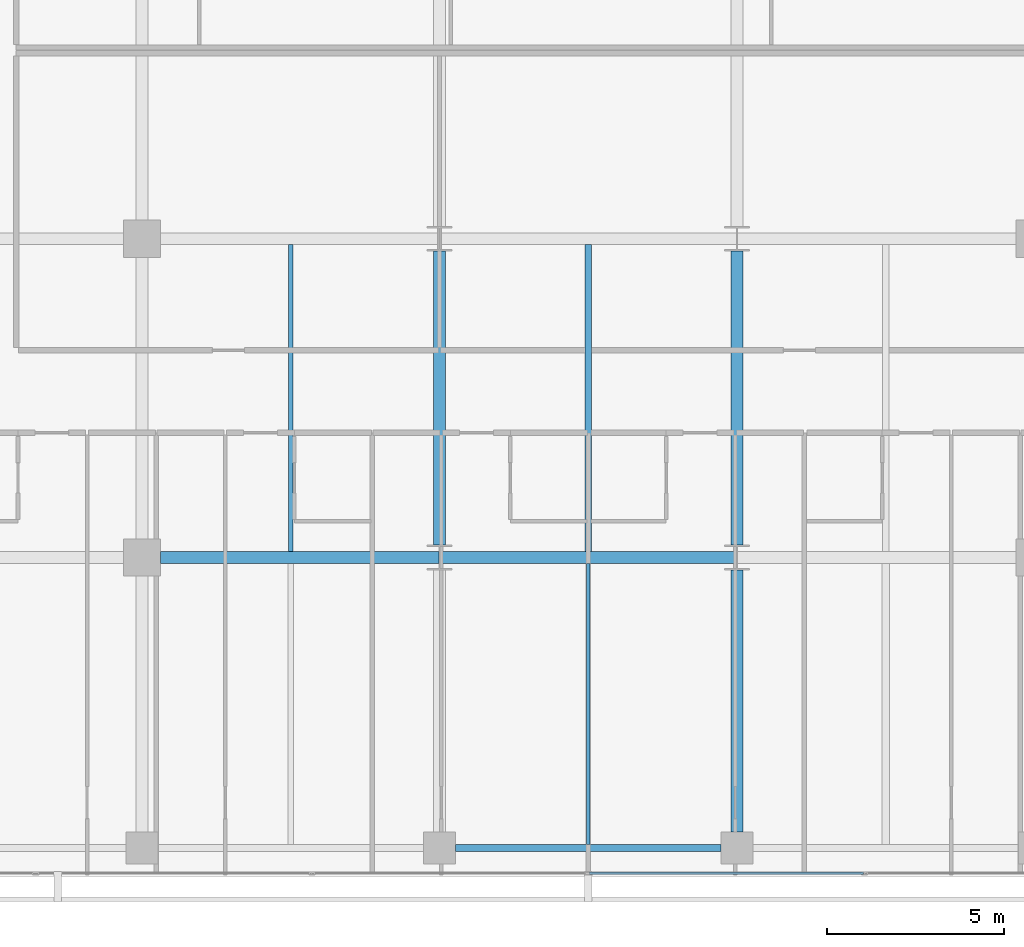
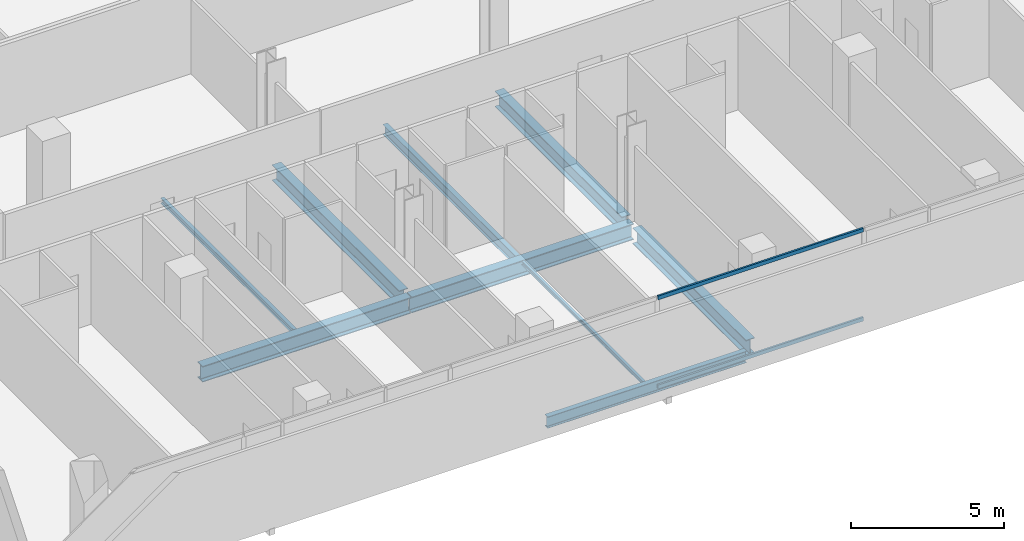
# One storey, part 9 of 40: 9 beams, 2 members, 1 element without a shape of its own.
"""IFC4 building model written with IfcOpenShell, lengths in metres."""

from ifc_helpers import new_model, si_unit, direction, frame, origin, origin_2d, place, context, subcontext, project, spatial, hollow_rectangle, i_section, extrude, material, layer, layer_set, material_profile, profile_set, type_object, element, aggregate, save


model = new_model("IFC4")

# Units and contexts
model_context = context("Model", 3, precision=1e-05, world=origin(), true_north=direction((0.0, 1.0)))
body_context = subcontext(model_context, "Body", "Model", "MODEL_VIEW")
ifc_project = project(units=[si_unit("LENGTHUNIT", "METRE"), si_unit("AREAUNIT", "SQUARE_METRE"), si_unit("VOLUMEUNIT", "CUBIC_METRE"), si_unit("PLANEANGLEUNIT", "RADIAN"), si_unit("MASSUNIT", "GRAM", prefix="KILO")], contexts=[model_context])

# Site, building, storey
site_placement = place(None, origin())
site = spatial("IfcSite", under=ifc_project, at=site_placement, CompositionType="ELEMENT")
building_placement = place(site_placement, origin())
building = spatial("IfcBuilding", under=site, at=building_placement, Name="Maruvema Waterfront Hotel and Observation Tower", CompositionType="ELEMENT")
storey_placement = place(building_placement, frame((0.0, 0.0, 34.64990234375)))
storey = spatial("IfcBuildingStorey", under=building, at=storey_placement, Name="L07", CompositionType="ELEMENT", Elevation=34.64990234375)

# Curtain wall, members
ifc_material_1 = material(Name="Anodised bronze aluminium and solar-control low-E IGU", Category="aluminium")
ifc_layer = layer(ifc_material_1, 0.159912109375, Name="Zone 1 Bronze Inner Thermal Curtain Wall System CW-02")
ifc_layer_set = layer_set([ifc_layer], Name="Anodised bronze aluminium and solar-control low-E IGU")
curtain_wall_type = type_object("IfcCurtainWallType", Name="Zone 1 Bronze Inner Thermal Curtain Wall System CW-02", PredefinedType="USERDEFINED", material=ifc_layer_set)
curtain_wall_placement = place(storey_placement, origin())
curtain_wall = element("IfcCurtainWall", 1, at=curtain_wall_placement, inside=storey, type_object=curtain_wall_type, Name="L07 Curtain Wall CW-L07-S", ObjectType="UNITISED CURTAIN WALL", PredefinedType="USERDEFINED")
ifc_material_2 = material(Name="Anodised architectural bronze aluminium", Category="aluminium")
ifc_material_profile_1 = material_profile(ifc_material_2, hollow_rectangle(XDim=0.070068359375, YDim=0.14990234375, WallThickness=0.00390625, at=origin_2d()), Name="ALU-T70x150")
ifc_profile_set_1 = profile_set([ifc_material_profile_1], Name="Anodised architectural bronze aluminium")
member_type = type_object("IfcMemberType", Name="Curtain Wall Horizontal Transom ALU-T70x150", PredefinedType="USERDEFINED", material=ifc_profile_set_1)
member_1_placement = place(storey_placement, frame((37.830078125, 0.080078125, 0.030029296875), z_axis=(1.0, 0.0, 0.0), x_axis=(0.0, 1.0, 0.0)))
member_1 = element("IfcMember", 2, at=member_1_placement, type_object=member_type, Name="CW-02 transom 4.1", ObjectType="TRANSOM", PredefinedType="USERDEFINED", context=body_context, shape_type="SweptSolid", body=[
    extrude(hollow_rectangle(XDim=0.070068359375, YDim=0.14990234375, WallThickness=0.00390625, at=origin_2d()), origin(), (0.0, 0.0, 1.0), 7.739990234375),
])
member_2_placement = place(storey_placement, frame((37.830078125, 0.080078125, 3.580078125), z_axis=(1.0, 0.0, 0.0), x_axis=(0.0, 1.0, 0.0)))
member_2 = element("IfcMember", 3, at=member_2_placement, type_object=member_type, Name="CW-02 transom 4.2", ObjectType="TRANSOM", PredefinedType="USERDEFINED", context=body_context, shape_type="SweptSolid", body=[
    extrude(hollow_rectangle(XDim=0.070068359375, YDim=0.14990234375, WallThickness=0.00390625, at=origin_2d()), origin(), (0.0, 0.0, 1.0), 7.739990234375),
])
aggregate(curtain_wall, [member_1, member_2])

# Beams
ifc_material_3 = material(Name="Steel ASTM A572 Grade 50", Category="steel")
ifc_material_profile_2 = material_profile(ifc_material_3, i_section(OverallWidth=0.18994140625, OverallDepth=0.45703125, WebThickness=0.009033203125, FlangeThickness=0.014404296875, FilletRadius=0.014892578125, at=origin_2d()), Name="W460x74.0")
ifc_profile_set_2 = profile_set([ifc_material_profile_2], Name="Steel ASTM A572 Grade 50")
beam_type_1 = type_object("IfcBeamType", Name="Perimeter Spandrel Beam W460x74.0", PredefinedType="SPANDREL", material=ifc_profile_set_2)
beam_1_placement = place(storey_placement, frame((34.050048828125, 0.800048828125, -0.468505859375), z_axis=(1.0, 0.0, 0.0), x_axis=(0.0, 1.0, 0.0)))
element("IfcBeam", 4, at=beam_1_placement, inside=storey, type_object=beam_type_1, Name="L07 Floor Girder EW-03", PredefinedType="SPANDREL", context=body_context, shape_type="SweptSolid", body=[
    extrude(i_section(OverallWidth=0.18994140625, OverallDepth=0.45703125, WebThickness=0.009033203125, FlangeThickness=0.014404296875, FilletRadius=0.014892578125, at=origin_2d()), origin(), (0.0, 0.0, 1.0), 7.5),
])
ifc_material_4 = material(Name="Steel ASTM A572 Grade 50", Category="steel")
ifc_material_profile_3 = material_profile(ifc_material_4, i_section(OverallWidth=0.3291015625, OverallDepth=0.635009765625, WebThickness=0.017822265625, FlangeThickness=0.031005859375, FilletRadius=0.01806640625, at=origin_2d()), Name="W610x241.0")
ifc_profile_set_3 = profile_set([ifc_material_profile_3], Name="Steel ASTM A572 Grade 50")
beam_type_2 = type_object("IfcBeamType", Name="Primary Floor Girder W610x241.0", PredefinedType="BEAM", material=ifc_profile_set_3)
beam_2_placement = place(storey_placement, frame((25.72509765625, 9.0, -0.557373046875), z_axis=(1.0, 0.0, 0.0), x_axis=(0.0, 1.0, 0.0)))
element("IfcBeam", 5, at=beam_2_placement, inside=storey, type_object=beam_type_2, Name="L07 Floor Girder EW-08", PredefinedType="BEAM", context=body_context, shape_type="SweptSolid", body=[
    extrude(i_section(OverallWidth=0.3291015625, OverallDepth=0.635009765625, WebThickness=0.017822265625, FlangeThickness=0.031005859375, FilletRadius=0.01806640625, at=origin_2d()), origin(), (0.0, 0.0, 1.0), 7.86083984375),
])
beam_3_placement = place(storey_placement, frame((33.614013671875, 9.0, -0.557373046875), z_axis=(1.0, 0.0, 0.0), x_axis=(0.0, 1.0, 0.0)))
element("IfcBeam", 6, at=beam_3_placement, inside=storey, type_object=beam_type_2, Name="L07 Floor Girder EW-09", PredefinedType="BEAM", context=body_context, shape_type="SweptSolid", body=[
    extrude(i_section(OverallWidth=0.3291015625, OverallDepth=0.635009765625, WebThickness=0.017822265625, FlangeThickness=0.031005859375, FilletRadius=0.01806640625, at=origin_2d()), origin(), (0.0, 0.0, 1.0), 8.3720703125),
])
beam_4_placement = place(storey_placement, frame((33.60009765625, 9.35009765625, -0.557373046875), z_axis=(0.0, 1.0, 0.0), x_axis=(-1.0, 0.0, 0.0)))
element("IfcBeam", 7, at=beam_4_placement, inside=storey, type_object=beam_type_2, Name="L07 Floor Girder NS-17", PredefinedType="BEAM", context=body_context, shape_type="SweptSolid", body=[
    extrude(i_section(OverallWidth=0.3291015625, OverallDepth=0.635009765625, WebThickness=0.017822265625, FlangeThickness=0.031005859375, FilletRadius=0.01806640625, at=origin_2d()), origin(), (0.0, 0.0, 1.0), 8.2998046875),
])
beam_5_placement = place(storey_placement, frame((42.0, 1.25, -0.557373046875), z_axis=(0.0, 1.0, 0.0), x_axis=(-1.0, 0.0, 0.0)))
element("IfcBeam", 8, at=beam_5_placement, inside=storey, type_object=beam_type_2, Name="L07 Floor Girder NS-19", PredefinedType="BEAM", context=body_context, shape_type="SweptSolid", body=[
    extrude(i_section(OverallWidth=0.3291015625, OverallDepth=0.635009765625, WebThickness=0.017822265625, FlangeThickness=0.031005859375, FilletRadius=0.01806640625, at=origin_2d()), origin(), (0.0, 0.0, 1.0), 7.39990234375),
])
beam_6_placement = place(storey_placement, frame((42.0, 9.35009765625, -0.557373046875), z_axis=(0.0, 1.0, 0.0), x_axis=(-1.0, 0.0, 0.0)))
element("IfcBeam", 9, at=beam_6_placement, inside=storey, type_object=beam_type_2, Name="L07 Floor Girder NS-20", PredefinedType="BEAM", context=body_context, shape_type="SweptSolid", body=[
    extrude(i_section(OverallWidth=0.3291015625, OverallDepth=0.635009765625, WebThickness=0.017822265625, FlangeThickness=0.031005859375, FilletRadius=0.01806640625, at=origin_2d()), origin(), (0.0, 0.0, 1.0), 8.2998046875),
])
ifc_material_5 = material(Name="Steel ASTM A572 Grade 50", Category="steel")
ifc_material_profile_4 = material_profile(ifc_material_5, i_section(OverallWidth=0.10009765625, OverallDepth=0.153076171875, WebThickness=0.005859375, FlangeThickness=0.007080078125, FilletRadius=0.008056640625, at=origin_2d()), Name="W150x18.0")
ifc_profile_set_4 = profile_set([ifc_material_profile_4], Name="Steel ASTM A572 Grade 50")
beam_type_3 = type_object("IfcBeamType", Name="Secondary Floor Joist W150x18.0", PredefinedType="JOIST", material=ifc_profile_set_4)
beam_7_placement = place(storey_placement, frame((37.800048828125, 0.89501953125, -0.31640625), z_axis=(0.0, 1.0, 0.0), x_axis=(-1.0, 0.0, 0.0)))
element("IfcBeam", 10, at=beam_7_placement, inside=storey, type_object=beam_type_3, Name="L07 Secondary Floor Joist JS-12", PredefinedType="JOIST", context=body_context, shape_type="SweptSolid", body=[
    extrude(i_section(OverallWidth=0.10009765625, OverallDepth=0.153076171875, WebThickness=0.005859375, FlangeThickness=0.007080078125, FilletRadius=0.008056640625, at=origin_2d()), origin(), (0.0, 0.0, 1.0), 7.9404296875),
])
ifc_material_6 = material(Name="Steel ASTM A572 Grade 50", Category="steel")
ifc_material_profile_5 = material_profile(ifc_material_6, i_section(OverallWidth=0.133056640625, OverallDepth=0.20703125, WebThickness=0.005859375, FlangeThickness=0.00830078125, FilletRadius=0.010009765625, at=origin_2d()), Name="W200x26.6")
ifc_profile_set_5 = profile_set([ifc_material_profile_5], Name="Steel ASTM A572 Grade 50")
beam_type_4 = type_object("IfcBeamType", Name="Secondary Floor Joist W200x26.6", PredefinedType="JOIST", material=ifc_profile_set_5)
beam_8_placement = place(storey_placement, frame((29.39990234375, 9.16455078125, -0.343505859375), z_axis=(0.0, 1.0, 0.0), x_axis=(-1.0, 0.0, 0.0)))
element("IfcBeam", 11, at=beam_8_placement, inside=storey, type_object=beam_type_4, Name="L07 Secondary Floor Joist JS-11", PredefinedType="JOIST", context=body_context, shape_type="SweptSolid", body=[
    extrude(i_section(OverallWidth=0.133056640625, OverallDepth=0.20703125, WebThickness=0.005859375, FlangeThickness=0.00830078125, FilletRadius=0.010009765625, at=origin_2d()), origin(), (0.0, 0.0, 1.0), 8.6708984375),
])
ifc_material_7 = material(Name="Steel ASTM A572 Grade 50", Category="steel")
ifc_material_profile_6 = material_profile(ifc_material_7, i_section(OverallWidth=0.177001953125, OverallDepth=0.403076171875, WebThickness=0.007568359375, FlangeThickness=0.010986328125, FilletRadius=0.014892578125, at=origin_2d()), Name="W410x53.0")
ifc_profile_set_6 = profile_set([ifc_material_profile_6], Name="Steel ASTM A572 Grade 50")
beam_type_5 = type_object("IfcBeamType", Name="Secondary Floor Joist W410x53.0", PredefinedType="JOIST", material=ifc_profile_set_6)
beam_9_placement = place(storey_placement, frame((37.800048828125, 9.16455078125, -0.44140625), z_axis=(0.0, 1.0, 0.0), x_axis=(-1.0, 0.0, 0.0)))
element("IfcBeam", 12, at=beam_9_placement, inside=storey, type_object=beam_type_5, Name="L07 Secondary Floor Joist JS-13", PredefinedType="JOIST", context=body_context, shape_type="SweptSolid", body=[
    extrude(i_section(OverallWidth=0.177001953125, OverallDepth=0.403076171875, WebThickness=0.007568359375, FlangeThickness=0.010986328125, FilletRadius=0.014892578125, at=origin_2d()), origin(), (0.0, 0.0, 1.0), 8.6708984375),
])

save(model, "model.ifc")
